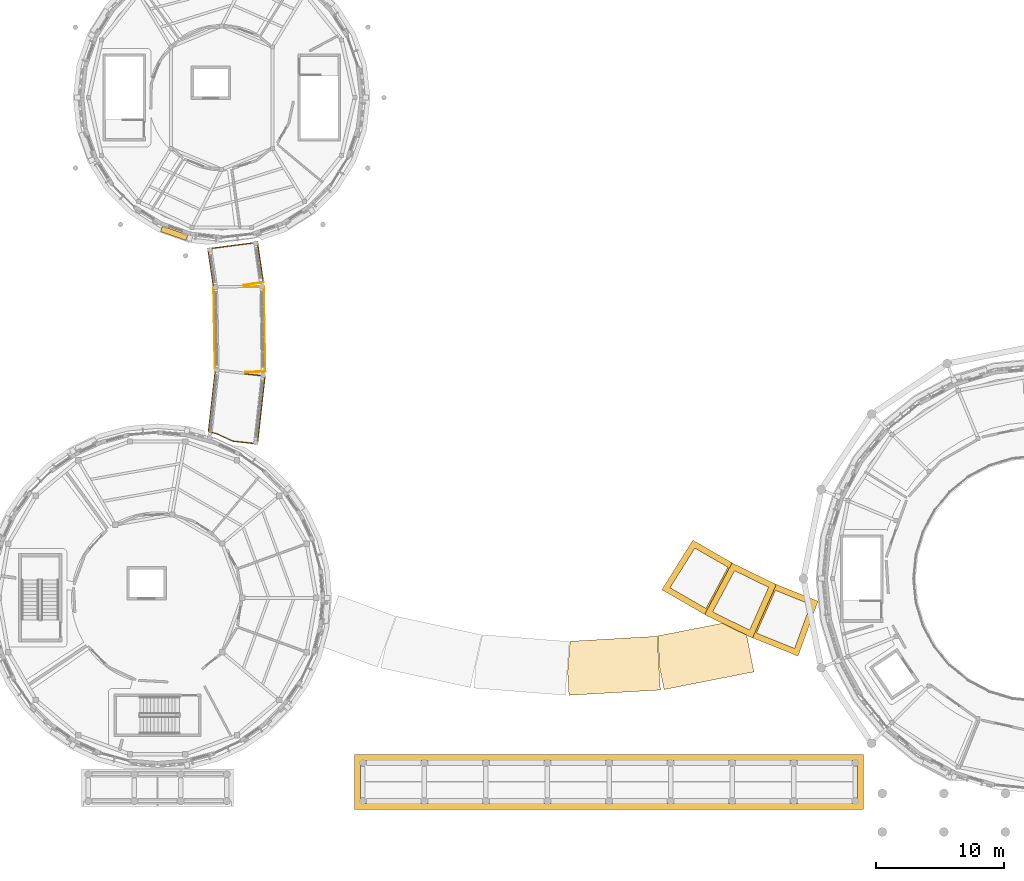
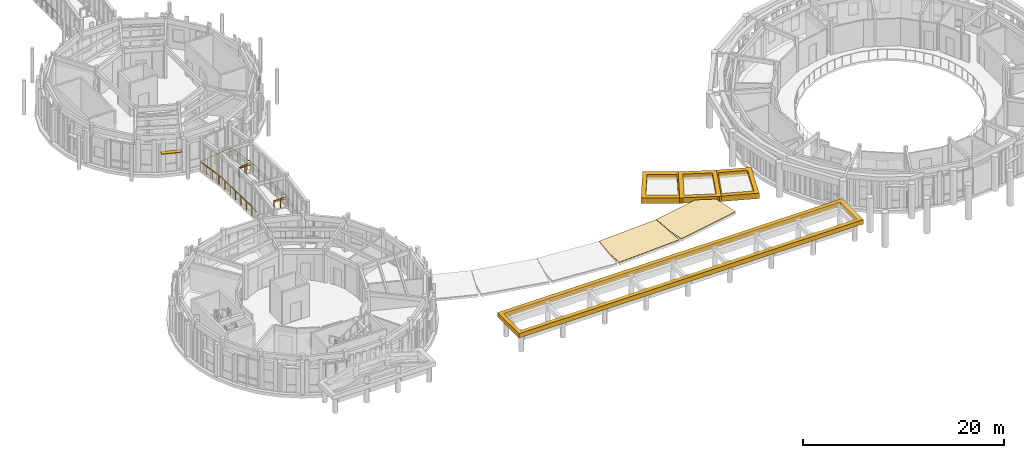
# One storey, part 67 of 80: 6 coverings, 5 railings, 1 shading device.
"""IFC4 building model written with IfcOpenShell, lengths in metres."""

from ifc_helpers import new_model, si_unit, direction, frame, origin, origin_2d, place, context, subcontext, project, spatial, polyline, rectangle, circle, outline, extrude, material, layer, layer_set, type_object, element, save


model = new_model("IFC4")

# Units and contexts
model_context = context("Model", 3, precision=1e-05, world=origin(), true_north=direction((0.0, 1.0)))
body_context = subcontext(model_context, "Body", "Model", "MODEL_VIEW")
ifc_project = project(units=[si_unit("LENGTHUNIT", "METRE"), si_unit("AREAUNIT", "SQUARE_METRE"), si_unit("VOLUMEUNIT", "CUBIC_METRE"), si_unit("PLANEANGLEUNIT", "RADIAN"), si_unit("MASSUNIT", "GRAM", prefix="KILO")], contexts=[model_context])

# Site, building, storey
site_placement = place(None, origin())
site = spatial("IfcSite", under=ifc_project, at=site_placement, CompositionType="ELEMENT")
building_placement = place(site_placement, origin())
building = spatial("IfcBuilding", under=site, at=building_placement, Name="Aldenvaro Health Centre", CompositionType="ELEMENT")
storey_placement = place(building_placement, frame((0.0, 0.0, 4.550048828125)))
storey = spatial("IfcBuildingStorey", under=building, at=storey_placement, Name="L01", CompositionType="ELEMENT", Elevation=4.550048828125)

# Coverings
ifc_material_1 = material(Name="Honed Sonoran Buff Limestone", Category="masonry")
ifc_layer_1 = layer(ifc_material_1, 0.280029296875, Name="Honed Sonoran Buff Limestone", Category="masonry")
ifc_layer_set_1 = layer_set([ifc_layer_1], Name="Honed Sonoran Buff Limestone")
covering_type_1 = type_object("IfcCoveringType", Name="COV-CRN-STN", PredefinedType="CLADDING", material=ifc_layer_set_1)
covering_1_placement = place(storey_placement, frame((0.0, 0.0, -0.25)))
element("IfcCovering", 1, at=covering_1_placement, inside=storey, type_object=covering_type_1, Name="Courtyard Peristyle Classical Entablature Crown 1", PredefinedType="CLADDING", context=body_context, shape_type="SweptSolid", body=[
    extrude(outline(polyline([(66.43408203125, 19.677978515625), (69.990966796875, 18.240966796875), (68.430908203125, 13.9560546875), (64.580078125, 15.511962890625), (66.43408203125, 19.677978515625)]), holes=[polyline([(68.162109375, 14.56103515625), (69.406005859375, 17.98095703125), (66.674072265625, 19.0849609375), (65.194091796875, 15.760009765625), (68.162109375, 14.56103515625)])]), origin(), (0.0, 0.0, 1.0), 0.659912109375),
])
covering_2_placement = place(storey_placement, frame((0.0, 0.0, -0.25)))
element("IfcCovering", 2, at=covering_2_placement, inside=storey, type_object=covering_type_1, Name="Courtyard Peristyle Classical Entablature Crown 3", PredefinedType="CLADDING", context=body_context, shape_type="SweptSolid", body=[
    extrude(outline(polyline([(66.735107421875, 19.54296875), (64.881103515625, 15.3759765625), (61.14794921875, 17.197998046875), (63.2890625, 21.22412109375), (66.735107421875, 19.54296875)]), holes=[polyline([(61.777099609375, 17.403076171875), (64.654052734375, 15.9990234375), (66.134033203125, 19.323974609375), (63.486083984375, 20.615966796875), (61.777099609375, 17.403076171875)])]), origin(), (0.0, 0.0, 1.0), 0.659912109375),
])
covering_3_placement = place(storey_placement, frame((0.0, 0.0, -0.25)))
element("IfcCovering", 3, at=covering_3_placement, inside=storey, type_object=covering_type_1, Name="Courtyard Peristyle Classical Entablature Crown 5", PredefinedType="CLADDING", context=body_context, shape_type="SweptSolid", body=[
    extrude(outline(polyline([(60.23095703125, 23.0009765625), (63.580078125, 21.068115234375), (61.43798828125, 17.0419921875), (57.81494140625, 19.134033203125), (60.23095703125, 23.0009765625)]), holes=[polyline([(61.256103515625, 17.677978515625), (62.965087890625, 20.89208984375), (60.385986328125, 22.3798828125), (58.45703125, 19.2939453125), (61.256103515625, 17.677978515625)])]), origin(), (0.0, 0.0, 1.0), 0.659912109375),
])
covering_4_placement = place(storey_placement, frame((0.0, 0.0, 2.099853515625)))
element("IfcCovering", 4, at=covering_4_placement, inside=storey, type_object=covering_type_1, Name="South Neoclassical Stoa W Entablature Cornice", PredefinedType="CLADDING", context=body_context, shape_type="SweptSolid", body=[
    extrude(outline(polyline([(33.8701171875, 2.02001953125), (33.8701171875, 6.280029296875), (73.530029296875, 6.280029296875), (73.530029296875, 2.02001953125), (33.8701171875, 2.02001953125)]), holes=[polyline([(73.070068359375, 5.820068359375), (34.330078125, 5.820068359375), (34.330078125, 2.47998046875), (73.070068359375, 2.47998046875), (73.070068359375, 5.820068359375)])]), origin(), (0.0, 0.0, 1.0), 0.530029296875),
])
ifc_material_2 = material(Name="TPO Reflective Cool Roof Membrane")
ifc_layer_2 = layer(ifc_material_2, 0.030029296875, Name="TPO Reflective Cool Roof Membrane")
ifc_layer_set_2 = layer_set([ifc_layer_2], Name="TPO Reflective Cool Roof Membrane")
covering_type_2 = type_object("IfcCoveringType", Name="COV-RF-MEM", PredefinedType="ROOFING", material=ifc_layer_set_2)
covering_5_placement = place(storey_placement, frame((0.0, 0.0, 0.06005859375)))
element("IfcCovering", 5, at=covering_5_placement, inside=storey, type_object=covering_type_2, Name="South West Curved Peristyle Walkway Arc 4 flat roof Cool Limestone Ballast Membrane", PredefinedType="ROOFING", context=body_context, shape_type="SweptSolid", body=[
    extrude(outline(polyline([(57.458984375, 15.510986328125), (57.700927734375, 11.31689453125), (50.571044921875, 10.906005859375), (50.467041015625, 12.708984375), (50.656982421875, 15.117919921875), (57.458984375, 15.510986328125)])), origin(), (0.0, 0.0, 1.0), 0.02978515625),
])
covering_6_placement = place(storey_placement, frame((0.0, 0.0, 0.06005859375)))
element("IfcCovering", 6, at=covering_6_placement, inside=storey, type_object=covering_type_2, Name="South West Curved Peristyle Walkway Arc 5 flat roof Cool Limestone Ballast Membrane", PredefinedType="ROOFING", context=body_context, shape_type="SweptSolid", body=[
    extrude(outline(polyline([(64.991943359375, 12.72802734375), (57.98388671875, 11.35302734375), (57.636962890625, 13.125), (57.498046875, 15.5380859375), (62.739013671875, 16.56591796875), (64.39794921875, 15.757080078125), (64.991943359375, 12.72802734375)])), origin(), (0.0, 0.0, 1.0), 0.02978515625),
])

# Railings
ifc_material_3 = material(Name="Painted Architectural Steel", Category="steel")
railing_type = type_object("IfcRailingType", Name="RL-BAL-110", PredefinedType="GUARDRAIL", material=ifc_material_3)
railing_1_placement = place(storey_placement, frame((25.3330078125, 35.962890625, 0.0)))
element("IfcRailing", 7, at=railing_1_placement, inside=storey, type_object=railing_type, Name="West South Curved Garden Walkway Arc 1 L01 edge guardrail 1", PredefinedType="GUARDRAIL", context=body_context, shape_type="SweptSolid", body=[
    extrude(circle(Radius=0.02392578125, at=origin_2d()), frame((0.0, 0.0, 1.09619140625), z_axis=(0.993922032315, -0.110086301048, 0.0), x_axis=(0.110086301048, 0.993922032315, 0.0)), (0.0, 0.0, 1.0), 1.552490234375),
    extrude(circle(Radius=0.02392578125, at=origin_2d()), frame((1.54296875, -0.1708984375, 1.09619140625), z_axis=(-0.110290534264, -0.993899390307, 0.0), x_axis=(0.993899390307, -0.110290534264, 0.0)), (0.0, 0.0, 1.0), 5.321533203125),
    extrude(circle(Radius=0.02392578125, at=origin_2d()), frame((0.9560546875, -5.4599609375, 1.09619140625), z_axis=(-0.993848424417, 0.110748856806, 0.0), x_axis=(-0.110748856806, -0.993848424417, 0.0)), (0.0, 0.0, 1.0), 1.942138671875),
    extrude(circle(Radius=0.02392578125, at=origin_2d()), frame((-0.97412109375, -5.244873046875, 1.09619140625), z_axis=(-0.906685134922, 0.421808091566, 0.0), x_axis=(-0.421808091566, -0.906685134922, 0.0)), (0.0, 0.0, 1.0), 1.32763671875),
    extrude(circle(Radius=0.02392578125, at=origin_2d()), frame((-2.177978515625, -4.684814453125, 1.09619140625), z_axis=(-0.904818702201, 0.42579703633, 0.0), x_axis=(-0.42579703633, -0.904818702201, 0.0)), (0.0, 0.0, 1.0), 0.004638671875),
    extrude(circle(Radius=0.02392578125, at=origin_2d()), frame((-2.18212890625, -4.682861328125, 1.09619140625), z_axis=(-0.970142500145, 0.242535625036, 0.0), x_axis=(-0.242535625036, -0.970142500145, 0.0)), (0.0, 0.0, 1.0), 0.00390625),
    extrude(circle(Radius=0.02392578125, at=origin_2d()), frame((-2.18603515625, -4.681884765625, 1.09619140625), z_axis=(-0.966101813281, 0.258161357245, 0.0), x_axis=(-0.258161357245, -0.966101813281, 0.0)), (0.0, 0.0, 1.0), 0.70068359375),
    extrude(circle(Radius=0.02392578125, at=origin_2d()), frame((-2.863037109375, -4.5009765625, 1.09619140625), z_axis=(0.110470764953, 0.993879374014, 0.0), x_axis=(-0.993879374014, 0.110470764953, 0.0)), (0.0, 0.0, 1.0), 4.7802734375),
    extrude(circle(Radius=0.02099609375, at=origin_2d()), origin(), (0.0, 0.0, 1.0), 1.072021484375),
    extrude(circle(Radius=0.02099609375, at=origin_2d()), frame((0.771484375, -0.08544921875, 0.0)), (0.0, 0.0, 1.0), 1.072021484375),
    extrude(circle(Radius=0.02099609375, at=origin_2d()), frame((1.54296875, -0.1708984375, 0.0)), (0.0, 0.0, 1.0), 1.072021484375),
    extrude(circle(Radius=0.02099609375, at=origin_2d()), frame((1.425537109375, -1.228759765625, 0.0)), (0.0, 0.0, 1.0), 1.072021484375),
    extrude(circle(Radius=0.02099609375, at=origin_2d()), frame((1.30810546875, -2.28662109375, 0.0)), (0.0, 0.0, 1.0), 1.072021484375),
    extrude(circle(Radius=0.02099609375, at=origin_2d()), frame((1.19091796875, -3.34423828125, 0.0)), (0.0, 0.0, 1.0), 1.072021484375),
    extrude(circle(Radius=0.02099609375, at=origin_2d()), frame((1.073486328125, -4.402099609375, 0.0)), (0.0, 0.0, 1.0), 1.072021484375),
    extrude(circle(Radius=0.02099609375, at=origin_2d()), frame((0.9560546875, -5.4599609375, 0.0)), (0.0, 0.0, 1.0), 1.072021484375),
    extrude(circle(Radius=0.02099609375, at=origin_2d()), frame((-0.009033203125, -5.3525390625, 0.0)), (0.0, 0.0, 1.0), 1.072021484375),
    extrude(circle(Radius=0.02099609375, at=origin_2d()), frame((-0.97412109375, -5.244873046875, 0.0)), (0.0, 0.0, 1.0), 1.072021484375),
    extrude(circle(Radius=0.02099609375, at=origin_2d()), frame((-1.576171875, -4.96484375, 0.0)), (0.0, 0.0, 1.0), 1.072021484375),
    extrude(circle(Radius=0.02099609375, at=origin_2d()), frame((-2.177978515625, -4.684814453125, 0.0)), (0.0, 0.0, 1.0), 1.072021484375),
    extrude(circle(Radius=0.02099609375, at=origin_2d()), frame((-2.863037109375, -4.5009765625, 0.0)), (0.0, 0.0, 1.0), 1.072021484375),
    extrude(circle(Radius=0.02099609375, at=origin_2d()), frame((-2.73095703125, -3.313232421875, 0.0)), (0.0, 0.0, 1.0), 1.072021484375),
    extrude(circle(Radius=0.02099609375, at=origin_2d()), frame((-2.59912109375, -2.12548828125, 0.0)), (0.0, 0.0, 1.0), 1.072021484375),
    extrude(circle(Radius=0.02099609375, at=origin_2d()), frame((-2.467041015625, -0.937744140625, 0.0)), (0.0, 0.0, 1.0), 1.072021484375),
    extrude(circle(Radius=0.02099609375, at=origin_2d()), frame((-2.3349609375, 0.25, 0.0)), (0.0, 0.0, 1.0), 1.072021484375),
])
railing_2_placement = place(storey_placement, frame((25.22509765625, 42.72802734375, 0.0)))
element("IfcRailing", 8, at=railing_2_placement, inside=storey, type_object=railing_type, Name="West South Curved Garden Walkway Arc 2 L01 edge guardrail 1", PredefinedType="GUARDRAIL", context=body_context, shape_type="SweptSolid", body=[
    extrude(circle(Radius=0.02392578125, at=origin_2d()), frame((0.0, 0.0, 1.09619140625), z_axis=(0.999850323563, 0.01730116967, 0.0), x_axis=(-0.01730116967, 0.999850323563, 0.0)), (0.0, 0.0, 1.0), 1.55224609375),
    extrude(circle(Radius=0.02392578125, at=origin_2d()), frame((1.552001953125, 0.02685546875, 1.09619140625), z_axis=(0.017383862194, -0.99984888925, 0.0), x_axis=(0.99984888925, 0.017383862194, 0.0)), (0.0, 0.0, 1.0), 6.61474609375),
    extrude(circle(Radius=0.02392578125, at=origin_2d()), frame((1.6669921875, -6.5869140625, 1.09619140625), z_axis=(-0.999836410779, -0.018087334787, 0.0), x_axis=(0.018087334787, -0.999836410779, 0.0)), (0.0, 0.0, 1.0), 1.55224609375),
    extrude(circle(Radius=0.02099609375, at=origin_2d()), origin(), (0.0, 0.0, 1.0), 1.072021484375),
    extrude(circle(Radius=0.02099609375, at=origin_2d()), frame((0.77587890625, 0.013427734375, 0.0)), (0.0, 0.0, 1.0), 1.072021484375),
    extrude(circle(Radius=0.02099609375, at=origin_2d()), frame((1.552001953125, 0.02685546875, 0.0)), (0.0, 0.0, 1.0), 1.072021484375),
    extrude(circle(Radius=0.02099609375, at=origin_2d()), frame((1.5712890625, -1.075439453125, 0.0)), (0.0, 0.0, 1.0), 1.072021484375),
    extrude(circle(Radius=0.02099609375, at=origin_2d()), frame((1.59033203125, -2.177734375, 0.0)), (0.0, 0.0, 1.0), 1.072021484375),
    extrude(circle(Radius=0.02099609375, at=origin_2d()), frame((1.609375, -3.280029296875, 0.0)), (0.0, 0.0, 1.0), 1.072021484375),
    extrude(circle(Radius=0.02099609375, at=origin_2d()), frame((1.628662109375, -4.38232421875, 0.0)), (0.0, 0.0, 1.0), 1.072021484375),
    extrude(circle(Radius=0.02099609375, at=origin_2d()), frame((1.64794921875, -5.484619140625, 0.0)), (0.0, 0.0, 1.0), 1.072021484375),
    extrude(circle(Radius=0.02099609375, at=origin_2d()), frame((1.6669921875, -6.5869140625, 0.0)), (0.0, 0.0, 1.0), 1.072021484375),
    extrude(circle(Radius=0.02099609375, at=origin_2d()), frame((0.89111328125, -6.60107421875, 0.0)), (0.0, 0.0, 1.0), 1.072021484375),
    extrude(circle(Radius=0.02099609375, at=origin_2d()), frame((0.114990234375, -6.614990234375, 0.0)), (0.0, 0.0, 1.0), 1.072021484375),
])
railing_3_placement = place(storey_placement, frame((22.987060546875, 36.375, 0.0)))
element("IfcRailing", 9, at=railing_3_placement, inside=storey, type_object=railing_type, Name="West South Curved Garden Walkway Arc 2 L01 edge guardrail 2", PredefinedType="GUARDRAIL", context=body_context, shape_type="SweptSolid", body=[
    extrude(circle(Radius=0.02392578125, at=origin_2d()), frame((0.0, 0.0, 1.09619140625), z_axis=(-0.017469150375, 0.99984740275, 0.0), x_axis=(-0.99984740275, -0.017469150375, 0.0)), (0.0, 0.0, 1.0), 6.302978515625),
    extrude(circle(Radius=0.02099609375, at=origin_2d()), origin(), (0.0, 0.0, 1.0), 1.072021484375),
    extrude(circle(Radius=0.02099609375, at=origin_2d()), frame((-0.018310546875, 1.05029296875, 0.0)), (0.0, 0.0, 1.0), 1.072021484375),
    extrude(circle(Radius=0.02099609375, at=origin_2d()), frame((-0.03662109375, 2.1005859375, 0.0)), (0.0, 0.0, 1.0), 1.072021484375),
    extrude(circle(Radius=0.02099609375, at=origin_2d()), frame((-0.05517578125, 3.15087890625, 0.0)), (0.0, 0.0, 1.0), 1.072021484375),
    extrude(circle(Radius=0.02099609375, at=origin_2d()), frame((-0.073486328125, 4.201416015625, 0.0)), (0.0, 0.0, 1.0), 1.072021484375),
    extrude(circle(Radius=0.02099609375, at=origin_2d()), frame((-0.091796875, 5.251708984375, 0.0)), (0.0, 0.0, 1.0), 1.072021484375),
    extrude(circle(Radius=0.02099609375, at=origin_2d()), frame((-0.110107421875, 6.302001953125, 0.0)), (0.0, 0.0, 1.0), 1.072021484375),
])
railing_4_placement = place(storey_placement, frame((26.748046875, 43.10302734375, 0.0)))
element("IfcRailing", 10, at=railing_4_placement, inside=storey, type_object=railing_type, Name="West South Curved Garden Walkway Arc 3 L01 edge guardrail 1", PredefinedType="GUARDRAIL", context=body_context, shape_type="SweptSolid", body=[
    extrude(circle(Radius=0.02392578125, at=origin_2d()), frame((0.0, 0.0, 1.09619140625), z_axis=(-0.989420335697, -0.145077218434, 0.0), x_axis=(0.145077218434, -0.989420335697, 0.0)), (0.0, 0.0, 1.0), 1.551513671875),
    extrude(circle(Radius=0.02099609375, at=origin_2d()), origin(), (0.0, 0.0, 1.0), 1.072021484375),
    extrude(circle(Radius=0.02099609375, at=origin_2d()), frame((-0.767578125, -0.112548828125, 0.0)), (0.0, 0.0, 1.0), 1.072021484375),
    extrude(circle(Radius=0.02099609375, at=origin_2d()), frame((-1.53515625, -0.22509765625, 0.0)), (0.0, 0.0, 1.0), 1.072021484375),
])
railing_5_placement = place(storey_placement, frame((22.845947265625, 42.8359375, 0.0)))
element("IfcRailing", 11, at=railing_5_placement, inside=storey, type_object=railing_type, Name="West South Curved Garden Walkway Arc 3 L01 edge guardrail 2", PredefinedType="GUARDRAIL", context=body_context, shape_type="SweptSolid", body=[
    extrude(circle(Radius=0.02392578125, at=origin_2d()), frame((0.0, 0.0, 1.09619140625), z_axis=(-0.144759079284, 0.989466931719, 0.0), x_axis=(-0.989466931719, -0.144759079284, 0.0)), (0.0, 0.0, 1.0), 2.907470703125),
    extrude(circle(Radius=0.02392578125, at=origin_2d()), frame((-0.4208984375, 2.876953125, 1.09619140625), z_axis=(0.991570805448, 0.129565959198, 0.0), x_axis=(-0.129565959198, 0.991570805448, 0.0)), (0.0, 0.0, 1.0), 3.681884765625),
    extrude(circle(Radius=0.02392578125, at=origin_2d()), frame((3.22998046875, 3.35400390625, 1.09619140625), z_axis=(0.987440631917, 0.157990501107, 0.0), x_axis=(-0.157990501107, 0.987440631917, 0.0)), (0.0, 0.0, 1.0), 0.006103515625),
    extrude(circle(Radius=0.02392578125, at=origin_2d()), frame((3.236083984375, 3.35498046875, 1.09619140625), z_axis=(0.911921505175, 0.410364677329, 0.0), x_axis=(-0.410364677329, 0.911921505175, 0.0)), (0.0, 0.0, 1.0), 0.00537109375),
    extrude(circle(Radius=0.02392578125, at=origin_2d()), frame((3.240966796875, 3.357177734375, 1.09619140625), z_axis=(0.943076174634, 0.332576801412, 0.0), x_axis=(-0.332576801412, 0.943076174634, 0.0)), (0.0, 0.0, 1.0), 0.2099609375),
    extrude(circle(Radius=0.02392578125, at=origin_2d()), frame((3.43896484375, 3.427001953125, 1.09619140625), z_axis=(0.145016401884, -0.989429251228, 0.0), x_axis=(0.989429251228, 0.145016401884, 0.0)), (0.0, 0.0, 1.0), 3.193603515625),
    extrude(circle(Radius=0.02099609375, at=origin_2d()), origin(), (0.0, 0.0, 1.0), 1.072021484375),
    extrude(circle(Radius=0.02099609375, at=origin_2d()), frame((-0.140380859375, 0.958984375, 0.0)), (0.0, 0.0, 1.0), 1.072021484375),
    extrude(circle(Radius=0.02099609375, at=origin_2d()), frame((-0.280517578125, 1.91796875, 0.0)), (0.0, 0.0, 1.0), 1.072021484375),
    extrude(circle(Radius=0.02099609375, at=origin_2d()), frame((-0.4208984375, 2.876953125, 0.0)), (0.0, 0.0, 1.0), 1.072021484375),
    extrude(circle(Radius=0.02099609375, at=origin_2d()), frame((0.49169921875, 2.99609375, 0.0)), (0.0, 0.0, 1.0), 1.072021484375),
    extrude(circle(Radius=0.02099609375, at=origin_2d()), frame((1.404541015625, 3.115478515625, 0.0)), (0.0, 0.0, 1.0), 1.072021484375),
    extrude(circle(Radius=0.02099609375, at=origin_2d()), frame((2.3173828125, 3.23486328125, 0.0)), (0.0, 0.0, 1.0), 1.072021484375),
    extrude(circle(Radius=0.02099609375, at=origin_2d()), frame((3.22998046875, 3.35400390625, 0.0)), (0.0, 0.0, 1.0), 1.072021484375),
    extrude(circle(Radius=0.02099609375, at=origin_2d()), frame((3.43896484375, 3.427001953125, 0.0)), (0.0, 0.0, 1.0), 1.072021484375),
    extrude(circle(Radius=0.02099609375, at=origin_2d()), frame((3.59326171875, 2.373779296875, 0.0)), (0.0, 0.0, 1.0), 1.072021484375),
    extrude(circle(Radius=0.02099609375, at=origin_2d()), frame((3.747802734375, 1.3203125, 0.0)), (0.0, 0.0, 1.0), 1.072021484375),
    extrude(circle(Radius=0.02099609375, at=origin_2d()), frame((3.902099609375, 0.26708984375, 0.0)), (0.0, 0.0, 1.0), 1.072021484375),
])

# Shading device
ifc_material_4 = material(Name="Douglas Fir Exterior Glulam GL28h", Category="wood")
shading_device_type = type_object("IfcShadingDeviceType", Name="SHD-LVR-210", PredefinedType="JALOUSIE", material=ifc_material_4)
shading_device_placement = place(storey_placement, frame((19.801025390625, 46.927001953125, 2.3974609375), z_axis=(0.0, 0.0, 1.0), x_axis=(-0.943909441385, 0.330204431323, 0.0)))
element("IfcShadingDevice", 12, at=shading_device_placement, inside=storey, type_object=shading_device_type, Name="D3 L01 horizontal solar louvre 09", PredefinedType="JALOUSIE", context=body_context, shape_type="SweptSolid", body=[
    extrude(rectangle(XDim=2.10009765625, YDim=0.449951171875, at=origin_2d()), origin(), (0.0, 0.0, 1.0), 0.06494140625),
])

save(model, "model.ifc")
